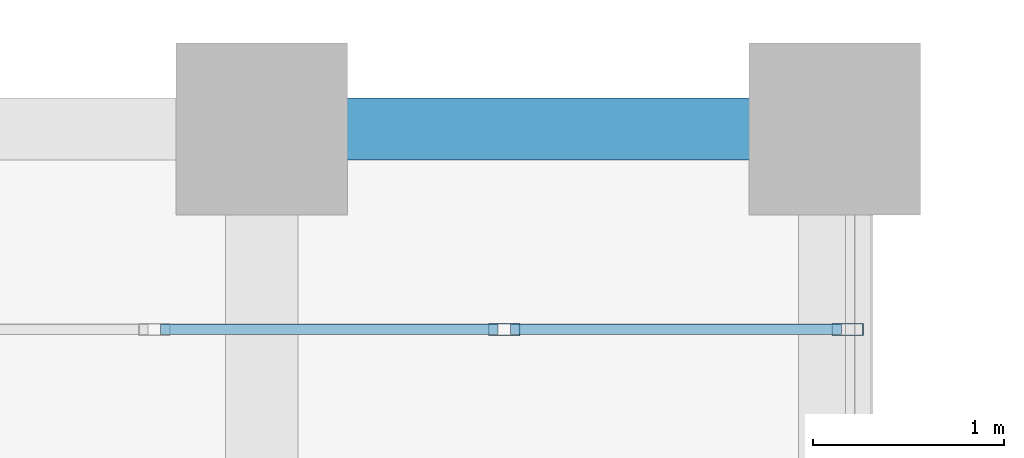
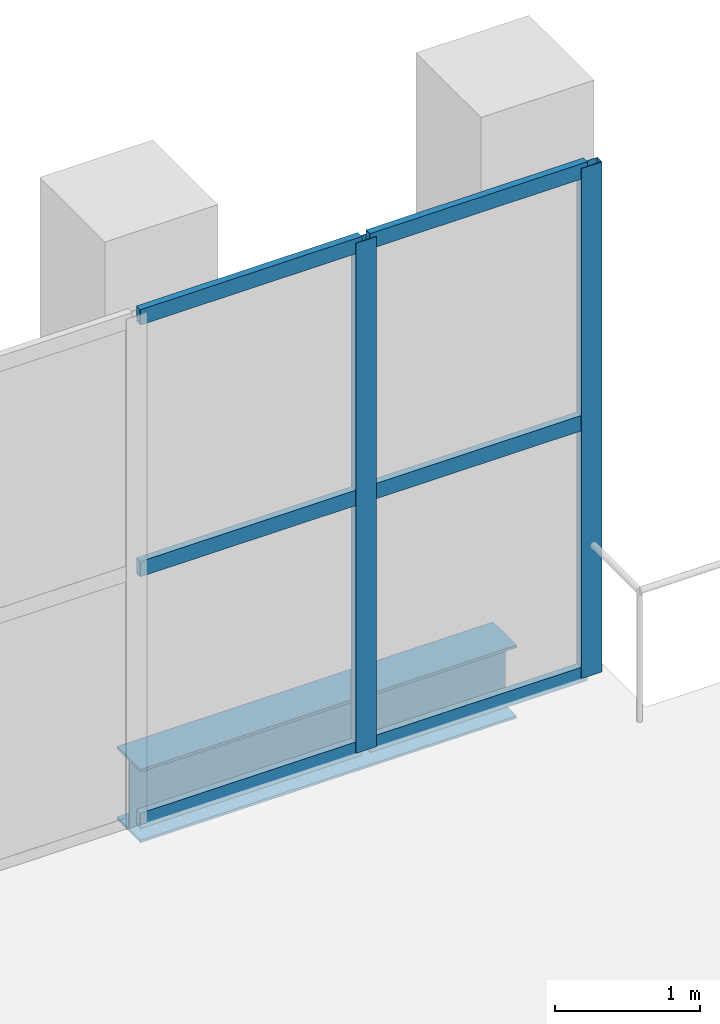
# One storey, part 18 of 26: 8 members, 1 beam, 1 element without a shape of its own.
"""IFC4 building model written with IfcOpenShell, lengths in metres."""

from ifc_helpers import new_model, si_unit, direction, frame, origin, origin_2d, place, context, subcontext, project, spatial, hollow_rectangle, i_section, extrude, material, layer, layer_set, material_profile, profile_set, type_object, element, aggregate, save


model = new_model("IFC4")

# Units and contexts
model_context = context("Model", 3, precision=1e-05, world=origin(), true_north=direction((0.0, 1.0)))
body_context = subcontext(model_context, "Body", "Model", "MODEL_VIEW")
ifc_project = project(units=[si_unit("LENGTHUNIT", "METRE"), si_unit("AREAUNIT", "SQUARE_METRE"), si_unit("VOLUMEUNIT", "CUBIC_METRE"), si_unit("PLANEANGLEUNIT", "RADIAN"), si_unit("MASSUNIT", "GRAM", prefix="KILO")], contexts=[model_context])

# Site, building, storey
site_placement = place(None, origin())
site = spatial("IfcSite", under=ifc_project, at=site_placement, CompositionType="ELEMENT")
building_placement = place(site_placement, origin())
building = spatial("IfcBuilding", under=site, at=building_placement, Name="Mawjdan Bourse Tower", CompositionType="ELEMENT")
storey_placement = place(building_placement, frame((0.0, 0.0, 226.800048828125)))
storey = spatial("IfcBuildingStorey", under=building, at=storey_placement, Name="L55", CompositionType="ELEMENT", Elevation=226.800048828125)

# Curtain wall, members
ifc_material_1 = material(Name="Thermally Broken Aluminium and Solar Glass", Category="aluminium")
ifc_layer = layer(ifc_material_1, 0.219970703125)
ifc_layer_set = layer_set([ifc_layer], Name="Thermally Broken Aluminium and Solar Glass")
curtain_wall_type = type_object("IfcCurtainWallType", Name="CW-RFG", PredefinedType="USERDEFINED", material=ifc_layer_set)
curtain_wall_placement = place(storey_placement, origin())
curtain_wall = element("IfcCurtainWall", 1, at=curtain_wall_placement, inside=storey, type_object=curtain_wall_type, Name="L55 Refuge Band North Louvre Curtain Wall", ObjectType="REFUGE BAND LOUVRE SCREEN", PredefinedType="USERDEFINED")
ifc_material_2 = material(Name="Thermally Broken Anodised Aluminium", Category="aluminium")
ifc_material_profile_1 = material_profile(ifc_material_2, hollow_rectangle(XDim=0.06494140625, YDim=0.1650390625, WallThickness=0.00390625, at=origin_2d()), Name="ALU-MUL-165X65")
ifc_profile_set_1 = profile_set([ifc_material_profile_1], Name="Thermally Broken Anodised Aluminium")
member_type_1 = type_object("IfcMemberType", Name="MUL-ALU-MUL-165X65", PredefinedType="MULLION", material=ifc_profile_set_1)
member_1_placement = place(storey_placement, frame((54.0673828125, 19.949951171875, 0.0), z_axis=(0.0, 0.0, 1.0), x_axis=(0.0, -1.0, 0.0)))
member_1 = element("IfcMember", 2, at=member_1_placement, type_object=member_type_1, Name="CW-RFG-L55-RFG-N mullion 1", PredefinedType="MULLION", context=body_context, shape_type="SweptSolid", body=[
    extrude(hollow_rectangle(XDim=0.06494140625, YDim=0.1650390625, WallThickness=0.00390625, at=origin_2d()), origin(), (0.0, 0.0, 1.0), 4.300048828125),
])
member_2_placement = place(storey_placement, frame((52.268798828125, 19.949951171875, 0.0), z_axis=(0.0, 0.0, 1.0), x_axis=(0.0, -1.0, 0.0)))
member_2 = element("IfcMember", 3, at=member_2_placement, type_object=member_type_1, Name="CW-RFG-L55-RFG-N mullion 2", PredefinedType="MULLION", context=body_context, shape_type="SweptSolid", body=[
    extrude(hollow_rectangle(XDim=0.06494140625, YDim=0.1650390625, WallThickness=0.00390625, at=origin_2d()), origin(), (0.0, 0.0, 1.0), 4.300048828125),
])

# Beam
ifc_material_3 = material(Name="Structural Steel S355", Category="steel")
ifc_material_profile_2 = material_profile(ifc_material_3, i_section(OverallWidth=0.324951171875, OverallDepth=0.616943359375, WebThickness=0.013916015625, FlangeThickness=0.021484375, FilletRadius=0.017333984375, at=origin_2d()), Name="W24X117")
ifc_profile_set_2 = profile_set([ifc_material_profile_2], Name="Structural Steel S355")
beam_type = type_object("IfcBeamType", Name="SPN-W24X117", PredefinedType="SPANDREL", material=ifc_profile_set_2)
beam_placement = place(storey_placement, frame((51.0, 21.0, -0.588623046875), z_axis=(1.0, 0.0, 0.0), x_axis=(0.0, 1.0, 0.0)))
element("IfcBeam", 4, at=beam_placement, inside=storey, type_object=beam_type, Name="L55 Perimeter Masonry-Shelf Spandrel 016", PredefinedType="SPANDREL", context=body_context, shape_type="SweptSolid", body=[
    extrude(i_section(OverallWidth=0.324951171875, OverallDepth=0.616943359375, WebThickness=0.013916015625, FlangeThickness=0.021484375, FilletRadius=0.017333984375, at=origin_2d()), origin(), (0.0, 0.0, 1.0), 3.0),
])

# Member
ifc_material_profile_3 = material_profile(ifc_material_2, hollow_rectangle(XDim=0.054931640625, YDim=0.1298828125, WallThickness=0.00341796875, at=origin_2d()), Name="ALU-TRN-130X55")
ifc_profile_set_3 = profile_set([ifc_material_profile_3], Name="Thermally Broken Anodised Aluminium")
member_type_2 = type_object("IfcMemberType", Name="TRN-ALU-TRN-130X55", PredefinedType="USERDEFINED", material=ifc_profile_set_3)
member_3_placement = place(storey_placement, frame((54.034912109375, 19.949951171875, 0.02734375), z_axis=(-1.0, 0.0, 0.0), x_axis=(0.0, -1.0, 0.0)))
member_3 = element("IfcMember", 5, at=member_3_placement, type_object=member_type_2, Name="CW-RFG-L55-RFG-N transom 1.1", ObjectType="TRANSOM", PredefinedType="USERDEFINED", context=body_context, shape_type="SweptSolid", body=[
    extrude(hollow_rectangle(XDim=0.054931640625, YDim=0.1298828125, WallThickness=0.00341796875, at=origin_2d()), origin(), (0.0, 0.0, 1.0), 1.733642578125),
])

member_4_placement = place(storey_placement, frame((54.034912109375, 19.949951171875, 2.14990234375), z_axis=(-1.0, 0.0, 0.0), x_axis=(0.0, -1.0, 0.0)))
member_4 = element("IfcMember", 6, at=member_4_placement, type_object=member_type_2, Name="CW-RFG-L55-RFG-N transom 1.2", ObjectType="TRANSOM", PredefinedType="USERDEFINED", context=body_context, shape_type="SweptSolid", body=[
    extrude(hollow_rectangle(XDim=0.054931640625, YDim=0.1298828125, WallThickness=0.00341796875, at=origin_2d()), origin(), (0.0, 0.0, 1.0), 1.733642578125),
])

member_5_placement = place(storey_placement, frame((54.034912109375, 19.949951171875, 4.2724609375), z_axis=(-1.0, 0.0, 0.0), x_axis=(0.0, -1.0, 0.0)))
member_5 = element("IfcMember", 7, at=member_5_placement, type_object=member_type_2, Name="CW-RFG-L55-RFG-N transom 1.3", ObjectType="TRANSOM", PredefinedType="USERDEFINED", context=body_context, shape_type="SweptSolid", body=[
    extrude(hollow_rectangle(XDim=0.054931640625, YDim=0.1298828125, WallThickness=0.00341796875, at=origin_2d()), origin(), (0.0, 0.0, 1.0), 1.733642578125),
])

member_6_placement = place(storey_placement, frame((52.236328125, 19.949951171875, 0.02734375), z_axis=(-1.0, 0.0, 0.0), x_axis=(0.0, -1.0, 0.0)))
member_6 = element("IfcMember", 8, at=member_6_placement, type_object=member_type_2, Name="CW-RFG-L55-RFG-N transom 2.1", ObjectType="TRANSOM", PredefinedType="USERDEFINED", context=body_context, shape_type="SweptSolid", body=[
    extrude(hollow_rectangle(XDim=0.054931640625, YDim=0.1298828125, WallThickness=0.00341796875, at=origin_2d()), origin(), (0.0, 0.0, 1.0), 1.766357421875),
])

member_7_placement = place(storey_placement, frame((52.236328125, 19.949951171875, 2.14990234375), z_axis=(-1.0, 0.0, 0.0), x_axis=(0.0, -1.0, 0.0)))
member_7 = element("IfcMember", 9, at=member_7_placement, type_object=member_type_2, Name="CW-RFG-L55-RFG-N transom 2.2", ObjectType="TRANSOM", PredefinedType="USERDEFINED", context=body_context, shape_type="SweptSolid", body=[
    extrude(hollow_rectangle(XDim=0.054931640625, YDim=0.1298828125, WallThickness=0.00341796875, at=origin_2d()), origin(), (0.0, 0.0, 1.0), 1.766357421875),
])

member_8_placement = place(storey_placement, frame((52.236328125, 19.949951171875, 4.2724609375), z_axis=(-1.0, 0.0, 0.0), x_axis=(0.0, -1.0, 0.0)))
member_8 = element("IfcMember", 10, at=member_8_placement, type_object=member_type_2, Name="CW-RFG-L55-RFG-N transom 2.3", ObjectType="TRANSOM", PredefinedType="USERDEFINED", context=body_context, shape_type="SweptSolid", body=[
    extrude(hollow_rectangle(XDim=0.054931640625, YDim=0.1298828125, WallThickness=0.00341796875, at=origin_2d()), origin(), (0.0, 0.0, 1.0), 1.766357421875),
])

aggregate(curtain_wall, [member_1, member_2, member_3, member_4, member_5, member_6, member_7, member_8])

save(model, "model.ifc")
